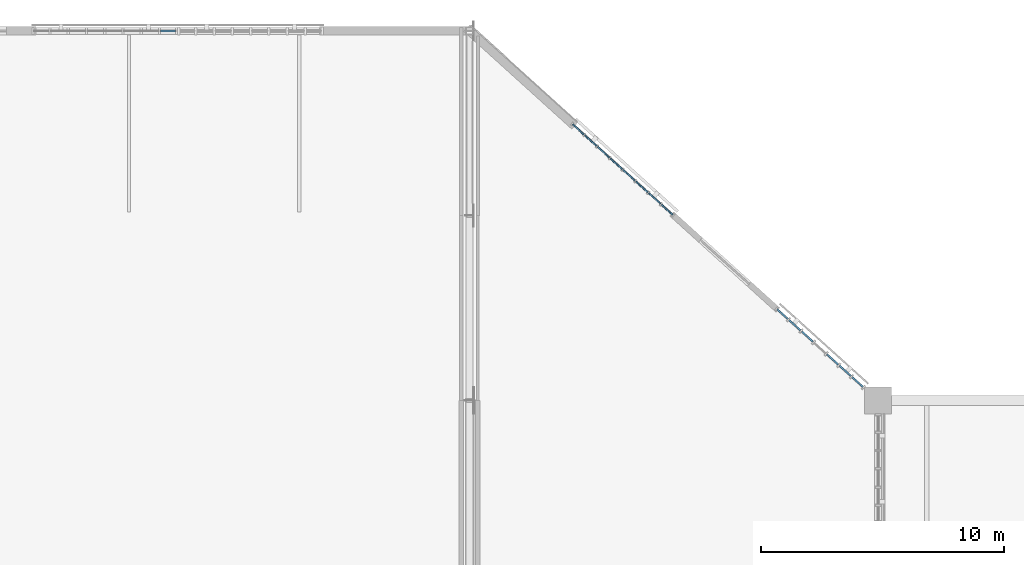
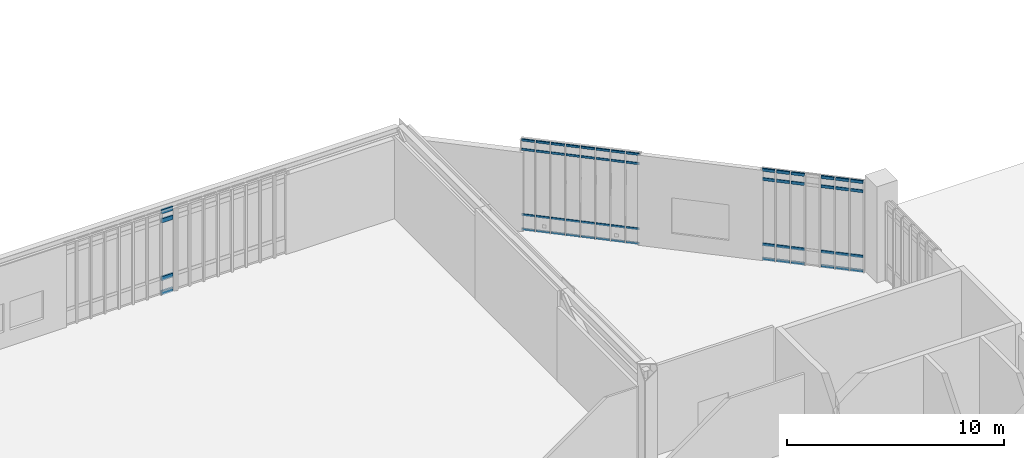
# One storey, part 61 of 135: 60 members, 3 elements without a shape of their own.
"""IFC4 building model written with IfcOpenShell, lengths in metres."""

from ifc_helpers import new_model, si_unit, direction, frame, origin, origin_2d, place, context, subcontext, project, spatial, rectangle, extrude, material, material_profile, profile_set, type_object, element, aggregate, save


model = new_model("IFC4")

# Units and contexts
model_context = context("Model", 3, precision=1e-05, world=origin(), true_north=direction((0.0, 1.0)))
body_context = subcontext(model_context, "Body", "Model", "MODEL_VIEW")
ifc_project = project(units=[si_unit("LENGTHUNIT", "METRE"), si_unit("AREAUNIT", "SQUARE_METRE"), si_unit("VOLUMEUNIT", "CUBIC_METRE"), si_unit("PLANEANGLEUNIT", "RADIAN"), si_unit("MASSUNIT", "GRAM", prefix="KILO")], contexts=[model_context])

# Site, building, storey
site_placement = place(None, origin())
site = spatial("IfcSite", under=ifc_project, at=site_placement, CompositionType="ELEMENT")
building_placement = place(site_placement, origin())
building = spatial("IfcBuilding", under=site, at=building_placement, Name="Larkvane Passage Sports Hall", CompositionType="ELEMENT")
storey_placement = place(building_placement, frame((0.0, 0.0, 16.800048828125)))
storey = spatial("IfcBuildingStorey", under=building, at=storey_placement, Name="L03", CompositionType="ELEMENT", Elevation=16.800048828125)

# Curtain wall, members
ifc_material_1 = material(Name="Thermally broken aluminium and low-E glazing", Category="aluminium")
curtain_wall_type_1 = type_object("IfcCurtainWallType", Name="CW-UNIT-COURT", PredefinedType="USERDEFINED", material=ifc_material_1)
curtain_wall_1_placement = place(storey_placement, origin())
curtain_wall_1 = element("IfcCurtainWall", 1, at=curtain_wall_1_placement, inside=storey, type_object=curtain_wall_type_1, Name="Curtain wall CW5-L03-140", ObjectType="UNITISED CURTAIN WALL", PredefinedType="USERDEFINED")
ifc_material_2 = material(Name="Anodised aluminium 6063-T6", Category="aluminium")
ifc_material_profile_1 = material_profile(ifc_material_2, rectangle(XDim=0.06005859375, YDim=0.1201171875, at=origin_2d()), Name="ALU-TRN-60x120")
ifc_profile_set_1 = profile_set([ifc_material_profile_1], Name="Anodised aluminium 6063-T6")
member_type_1 = type_object("IfcMemberType", Name="CW-TRN-60x120", PredefinedType="USERDEFINED", material=ifc_profile_set_1)
member_1_placement = place(storey_placement, frame((81.04443359375, 110.559814453125, 0.030029296875), z_axis=(0.741386040822, -0.671078787084, 0.0), x_axis=(0.671078787084, 0.741386040822, 0.0)))
member_1 = element("IfcMember", 2, at=member_1_placement, type_object=member_type_1, Name="CW-01 transom 1.1", ObjectType="TRANSOM", PredefinedType="USERDEFINED", context=body_context, shape_type="SweptSolid", body=[
    extrude(rectangle(XDim=0.06005859375, YDim=0.1201171875, at=origin_2d()), origin(), (0.0, 0.0, 1.0), 0.6181640625),
])
member_2_placement = place(storey_placement, frame((81.04443359375, 110.559814453125, 0.849853515625), z_axis=(0.741386040822, -0.671078787084, 0.0), x_axis=(0.671078787084, 0.741386040822, 0.0)))
member_2 = element("IfcMember", 3, at=member_2_placement, type_object=member_type_1, Name="CW-01 transom 1.2", ObjectType="TRANSOM", PredefinedType="USERDEFINED", context=body_context, shape_type="SweptSolid", body=[
    extrude(rectangle(XDim=0.06005859375, YDim=0.1201171875, at=origin_2d()), origin(), (0.0, 0.0, 1.0), 0.6181640625),
])
member_3_placement = place(storey_placement, frame((81.04443359375, 110.559814453125, 4.52001953125), z_axis=(0.741386040822, -0.671078787084, 0.0), x_axis=(0.671078787084, 0.741386040822, 0.0)))
member_3 = element("IfcMember", 4, at=member_3_placement, type_object=member_type_1, Name="CW-01 transom 1.3", ObjectType="TRANSOM", PredefinedType="USERDEFINED", context=body_context, shape_type="SweptSolid", body=[
    extrude(rectangle(XDim=0.06005859375, YDim=0.1201171875, at=origin_2d()), origin(), (0.0, 0.0, 1.0), 0.6181640625),
])
member_4_placement = place(storey_placement, frame((81.04443359375, 110.559814453125, 5.0400390625), z_axis=(0.741386040822, -0.671078787084, 0.0), x_axis=(0.671078787084, 0.741386040822, 0.0)))
member_4 = element("IfcMember", 5, at=member_4_placement, type_object=member_type_1, Name="CW-01 transom 1.4", ObjectType="TRANSOM", PredefinedType="USERDEFINED", context=body_context, shape_type="SweptSolid", body=[
    extrude(rectangle(XDim=0.06005859375, YDim=0.1201171875, at=origin_2d()), origin(), (0.0, 0.0, 1.0), 0.6181640625),
])
member_5_placement = place(storey_placement, frame((81.54736328125, 110.10498046875, 0.030029296875), z_axis=(0.74145544308, -0.671002105755, 0.0), x_axis=(0.671002105755, 0.74145544308, 0.0)))
member_5 = element("IfcMember", 6, at=member_5_placement, type_object=member_type_1, Name="CW-01 transom 2.1", ObjectType="TRANSOM", PredefinedType="USERDEFINED", context=body_context, shape_type="SweptSolid", body=[
    extrude(rectangle(XDim=0.06005859375, YDim=0.1201171875, at=origin_2d()), origin(), (0.0, 0.0, 1.0), 0.64794921875),
])
member_6_placement = place(storey_placement, frame((81.54736328125, 110.10498046875, 0.849853515625), z_axis=(0.74145544308, -0.671002105755, 0.0), x_axis=(0.671002105755, 0.74145544308, 0.0)))
member_6 = element("IfcMember", 7, at=member_6_placement, type_object=member_type_1, Name="CW-01 transom 2.2", ObjectType="TRANSOM", PredefinedType="USERDEFINED", context=body_context, shape_type="SweptSolid", body=[
    extrude(rectangle(XDim=0.06005859375, YDim=0.1201171875, at=origin_2d()), origin(), (0.0, 0.0, 1.0), 0.64794921875),
])
member_7_placement = place(storey_placement, frame((81.54736328125, 110.10498046875, 4.52001953125), z_axis=(0.74145544308, -0.671002105755, 0.0), x_axis=(0.671002105755, 0.74145544308, 0.0)))
member_7 = element("IfcMember", 8, at=member_7_placement, type_object=member_type_1, Name="CW-01 transom 2.3", ObjectType="TRANSOM", PredefinedType="USERDEFINED", context=body_context, shape_type="SweptSolid", body=[
    extrude(rectangle(XDim=0.06005859375, YDim=0.1201171875, at=origin_2d()), origin(), (0.0, 0.0, 1.0), 0.64794921875),
])
member_8_placement = place(storey_placement, frame((81.54736328125, 110.10498046875, 5.0400390625), z_axis=(0.74145544308, -0.671002105755, 0.0), x_axis=(0.671002105755, 0.74145544308, 0.0)))
member_8 = element("IfcMember", 9, at=member_8_placement, type_object=member_type_1, Name="CW-01 transom 2.4", ObjectType="TRANSOM", PredefinedType="USERDEFINED", context=body_context, shape_type="SweptSolid", body=[
    extrude(rectangle(XDim=0.06005859375, YDim=0.1201171875, at=origin_2d()), origin(), (0.0, 0.0, 1.0), 0.64794921875),
])
member_9_placement = place(storey_placement, frame((82.072265625, 109.6298828125, 0.030029296875), z_axis=(0.74145544308, -0.671002105755, 0.0), x_axis=(0.671002105755, 0.74145544308, 0.0)))
member_9 = element("IfcMember", 10, at=member_9_placement, type_object=member_type_1, Name="CW-01 transom 3.1", ObjectType="TRANSOM", PredefinedType="USERDEFINED", context=body_context, shape_type="SweptSolid", body=[
    extrude(rectangle(XDim=0.06005859375, YDim=0.1201171875, at=origin_2d()), origin(), (0.0, 0.0, 1.0), 0.64794921875),
])
member_10_placement = place(storey_placement, frame((82.072265625, 109.6298828125, 0.849853515625), z_axis=(0.74145544308, -0.671002105755, 0.0), x_axis=(0.671002105755, 0.74145544308, 0.0)))
member_10 = element("IfcMember", 11, at=member_10_placement, type_object=member_type_1, Name="CW-01 transom 3.2", ObjectType="TRANSOM", PredefinedType="USERDEFINED", context=body_context, shape_type="SweptSolid", body=[
    extrude(rectangle(XDim=0.06005859375, YDim=0.1201171875, at=origin_2d()), origin(), (0.0, 0.0, 1.0), 0.64794921875),
])
member_11_placement = place(storey_placement, frame((82.072265625, 109.6298828125, 4.52001953125), z_axis=(0.74145544308, -0.671002105755, 0.0), x_axis=(0.671002105755, 0.74145544308, 0.0)))
member_11 = element("IfcMember", 12, at=member_11_placement, type_object=member_type_1, Name="CW-01 transom 3.3", ObjectType="TRANSOM", PredefinedType="USERDEFINED", context=body_context, shape_type="SweptSolid", body=[
    extrude(rectangle(XDim=0.06005859375, YDim=0.1201171875, at=origin_2d()), origin(), (0.0, 0.0, 1.0), 0.64794921875),
])
member_12_placement = place(storey_placement, frame((82.072265625, 109.6298828125, 5.0400390625), z_axis=(0.74145544308, -0.671002105755, 0.0), x_axis=(0.671002105755, 0.74145544308, 0.0)))
member_12 = element("IfcMember", 13, at=member_12_placement, type_object=member_type_1, Name="CW-01 transom 3.4", ObjectType="TRANSOM", PredefinedType="USERDEFINED", context=body_context, shape_type="SweptSolid", body=[
    extrude(rectangle(XDim=0.06005859375, YDim=0.1201171875, at=origin_2d()), origin(), (0.0, 0.0, 1.0), 0.64794921875),
])
member_13_placement = place(storey_placement, frame((82.59716796875, 109.15478515625, 0.030029296875), z_axis=(0.741642904387, -0.670794903359, 0.0), x_axis=(0.670794903359, 0.741642904387, 0.0)))
member_13 = element("IfcMember", 14, at=member_13_placement, type_object=member_type_1, Name="CW-01 transom 4.1", ObjectType="TRANSOM", PredefinedType="USERDEFINED", context=body_context, shape_type="SweptSolid", body=[
    extrude(rectangle(XDim=0.06005859375, YDim=0.1201171875, at=origin_2d()), origin(), (0.0, 0.0, 1.0), 0.64794921875),
])
member_14_placement = place(storey_placement, frame((82.59716796875, 109.15478515625, 0.849853515625), z_axis=(0.741642904387, -0.670794903359, 0.0), x_axis=(0.670794903359, 0.741642904387, 0.0)))
member_14 = element("IfcMember", 15, at=member_14_placement, type_object=member_type_1, Name="CW-01 transom 4.2", ObjectType="TRANSOM", PredefinedType="USERDEFINED", context=body_context, shape_type="SweptSolid", body=[
    extrude(rectangle(XDim=0.06005859375, YDim=0.1201171875, at=origin_2d()), origin(), (0.0, 0.0, 1.0), 0.64794921875),
])
member_15_placement = place(storey_placement, frame((82.59716796875, 109.15478515625, 4.52001953125), z_axis=(0.741642904387, -0.670794903359, 0.0), x_axis=(0.670794903359, 0.741642904387, 0.0)))
member_15 = element("IfcMember", 16, at=member_15_placement, type_object=member_type_1, Name="CW-01 transom 4.3", ObjectType="TRANSOM", PredefinedType="USERDEFINED", context=body_context, shape_type="SweptSolid", body=[
    extrude(rectangle(XDim=0.06005859375, YDim=0.1201171875, at=origin_2d()), origin(), (0.0, 0.0, 1.0), 0.64794921875),
])
member_16_placement = place(storey_placement, frame((82.59716796875, 109.15478515625, 5.0400390625), z_axis=(0.741642904387, -0.670794903359, 0.0), x_axis=(0.670794903359, 0.741642904387, 0.0)))
member_16 = element("IfcMember", 17, at=member_16_placement, type_object=member_type_1, Name="CW-01 transom 4.4", ObjectType="TRANSOM", PredefinedType="USERDEFINED", context=body_context, shape_type="SweptSolid", body=[
    extrude(rectangle(XDim=0.06005859375, YDim=0.1201171875, at=origin_2d()), origin(), (0.0, 0.0, 1.0), 0.64794921875),
])
member_17_placement = place(storey_placement, frame((83.122314453125, 108.679931640625, 0.030029296875), z_axis=(0.74145544308, -0.671002105755, 0.0), x_axis=(0.671002105755, 0.74145544308, 0.0)))
member_17 = element("IfcMember", 18, at=member_17_placement, type_object=member_type_1, Name="CW-01 transom 5.1", ObjectType="TRANSOM", PredefinedType="USERDEFINED", context=body_context, shape_type="SweptSolid", body=[
    extrude(rectangle(XDim=0.06005859375, YDim=0.1201171875, at=origin_2d()), origin(), (0.0, 0.0, 1.0), 0.64794921875),
])
member_18_placement = place(storey_placement, frame((83.122314453125, 108.679931640625, 0.849853515625), z_axis=(0.74145544308, -0.671002105755, 0.0), x_axis=(0.671002105755, 0.74145544308, 0.0)))
member_18 = element("IfcMember", 19, at=member_18_placement, type_object=member_type_1, Name="CW-01 transom 5.2", ObjectType="TRANSOM", PredefinedType="USERDEFINED", context=body_context, shape_type="SweptSolid", body=[
    extrude(rectangle(XDim=0.06005859375, YDim=0.1201171875, at=origin_2d()), origin(), (0.0, 0.0, 1.0), 0.64794921875),
])
member_19_placement = place(storey_placement, frame((83.122314453125, 108.679931640625, 4.52001953125), z_axis=(0.74145544308, -0.671002105755, 0.0), x_axis=(0.671002105755, 0.74145544308, 0.0)))
member_19 = element("IfcMember", 20, at=member_19_placement, type_object=member_type_1, Name="CW-01 transom 5.3", ObjectType="TRANSOM", PredefinedType="USERDEFINED", context=body_context, shape_type="SweptSolid", body=[
    extrude(rectangle(XDim=0.06005859375, YDim=0.1201171875, at=origin_2d()), origin(), (0.0, 0.0, 1.0), 0.64794921875),
])
member_20_placement = place(storey_placement, frame((83.122314453125, 108.679931640625, 5.0400390625), z_axis=(0.74145544308, -0.671002105755, 0.0), x_axis=(0.671002105755, 0.74145544308, 0.0)))
member_20 = element("IfcMember", 21, at=member_20_placement, type_object=member_type_1, Name="CW-01 transom 5.4", ObjectType="TRANSOM", PredefinedType="USERDEFINED", context=body_context, shape_type="SweptSolid", body=[
    extrude(rectangle(XDim=0.06005859375, YDim=0.1201171875, at=origin_2d()), origin(), (0.0, 0.0, 1.0), 0.64794921875),
])
member_21_placement = place(storey_placement, frame((83.647216796875, 108.204833984375, 0.030029296875), z_axis=(0.74145544308, -0.671002105755, 0.0), x_axis=(0.671002105755, 0.74145544308, 0.0)))
member_21 = element("IfcMember", 22, at=member_21_placement, type_object=member_type_1, Name="CW-01 transom 6.1", ObjectType="TRANSOM", PredefinedType="USERDEFINED", context=body_context, shape_type="SweptSolid", body=[
    extrude(rectangle(XDim=0.06005859375, YDim=0.1201171875, at=origin_2d()), origin(), (0.0, 0.0, 1.0), 0.64794921875),
])
member_22_placement = place(storey_placement, frame((83.647216796875, 108.204833984375, 0.849853515625), z_axis=(0.74145544308, -0.671002105755, 0.0), x_axis=(0.671002105755, 0.74145544308, 0.0)))
member_22 = element("IfcMember", 23, at=member_22_placement, type_object=member_type_1, Name="CW-01 transom 6.2", ObjectType="TRANSOM", PredefinedType="USERDEFINED", context=body_context, shape_type="SweptSolid", body=[
    extrude(rectangle(XDim=0.06005859375, YDim=0.1201171875, at=origin_2d()), origin(), (0.0, 0.0, 1.0), 0.64794921875),
])
member_23_placement = place(storey_placement, frame((83.647216796875, 108.204833984375, 4.52001953125), z_axis=(0.74145544308, -0.671002105755, 0.0), x_axis=(0.671002105755, 0.74145544308, 0.0)))
member_23 = element("IfcMember", 24, at=member_23_placement, type_object=member_type_1, Name="CW-01 transom 6.3", ObjectType="TRANSOM", PredefinedType="USERDEFINED", context=body_context, shape_type="SweptSolid", body=[
    extrude(rectangle(XDim=0.06005859375, YDim=0.1201171875, at=origin_2d()), origin(), (0.0, 0.0, 1.0), 0.64794921875),
])
member_24_placement = place(storey_placement, frame((83.647216796875, 108.204833984375, 5.0400390625), z_axis=(0.74145544308, -0.671002105755, 0.0), x_axis=(0.671002105755, 0.74145544308, 0.0)))
member_24 = element("IfcMember", 25, at=member_24_placement, type_object=member_type_1, Name="CW-01 transom 6.4", ObjectType="TRANSOM", PredefinedType="USERDEFINED", context=body_context, shape_type="SweptSolid", body=[
    extrude(rectangle(XDim=0.06005859375, YDim=0.1201171875, at=origin_2d()), origin(), (0.0, 0.0, 1.0), 0.64794921875),
])
member_25_placement = place(storey_placement, frame((84.17236328125, 107.72998046875, 0.030029296875), z_axis=(0.74145544308, -0.671002105755, 0.0), x_axis=(0.671002105755, 0.74145544308, 0.0)))
member_25 = element("IfcMember", 26, at=member_25_placement, type_object=member_type_1, Name="CW-01 transom 7.1", ObjectType="TRANSOM", PredefinedType="USERDEFINED", context=body_context, shape_type="SweptSolid", body=[
    extrude(rectangle(XDim=0.06005859375, YDim=0.1201171875, at=origin_2d()), origin(), (0.0, 0.0, 1.0), 0.64794921875),
])
member_26_placement = place(storey_placement, frame((84.17236328125, 107.72998046875, 0.849853515625), z_axis=(0.74145544308, -0.671002105755, 0.0), x_axis=(0.671002105755, 0.74145544308, 0.0)))
member_26 = element("IfcMember", 27, at=member_26_placement, type_object=member_type_1, Name="CW-01 transom 7.2", ObjectType="TRANSOM", PredefinedType="USERDEFINED", context=body_context, shape_type="SweptSolid", body=[
    extrude(rectangle(XDim=0.06005859375, YDim=0.1201171875, at=origin_2d()), origin(), (0.0, 0.0, 1.0), 0.64794921875),
])
member_27_placement = place(storey_placement, frame((84.17236328125, 107.72998046875, 4.52001953125), z_axis=(0.74145544308, -0.671002105755, 0.0), x_axis=(0.671002105755, 0.74145544308, 0.0)))
member_27 = element("IfcMember", 28, at=member_27_placement, type_object=member_type_1, Name="CW-01 transom 7.3", ObjectType="TRANSOM", PredefinedType="USERDEFINED", context=body_context, shape_type="SweptSolid", body=[
    extrude(rectangle(XDim=0.06005859375, YDim=0.1201171875, at=origin_2d()), origin(), (0.0, 0.0, 1.0), 0.64794921875),
])
member_28_placement = place(storey_placement, frame((84.17236328125, 107.72998046875, 5.0400390625), z_axis=(0.74145544308, -0.671002105755, 0.0), x_axis=(0.671002105755, 0.74145544308, 0.0)))
member_28 = element("IfcMember", 29, at=member_28_placement, type_object=member_type_1, Name="CW-01 transom 7.4", ObjectType="TRANSOM", PredefinedType="USERDEFINED", context=body_context, shape_type="SweptSolid", body=[
    extrude(rectangle(XDim=0.06005859375, YDim=0.1201171875, at=origin_2d()), origin(), (0.0, 0.0, 1.0), 0.64794921875),
])
member_29_placement = place(storey_placement, frame((84.697265625, 107.2548828125, 0.030029296875), z_axis=(0.741582577172, -0.670861596184, 0.0), x_axis=(0.670861596184, 0.741582577172, 0.0)))
member_29 = element("IfcMember", 30, at=member_29_placement, type_object=member_type_1, Name="CW-01 transom 8.1", ObjectType="TRANSOM", PredefinedType="USERDEFINED", context=body_context, shape_type="SweptSolid", body=[
    extrude(rectangle(XDim=0.06005859375, YDim=0.1201171875, at=origin_2d()), origin(), (0.0, 0.0, 1.0), 0.617919921875),
])
member_30_placement = place(storey_placement, frame((84.697265625, 107.2548828125, 0.849853515625), z_axis=(0.741582577172, -0.670861596184, 0.0), x_axis=(0.670861596184, 0.741582577172, 0.0)))
member_30 = element("IfcMember", 31, at=member_30_placement, type_object=member_type_1, Name="CW-01 transom 8.2", ObjectType="TRANSOM", PredefinedType="USERDEFINED", context=body_context, shape_type="SweptSolid", body=[
    extrude(rectangle(XDim=0.06005859375, YDim=0.1201171875, at=origin_2d()), origin(), (0.0, 0.0, 1.0), 0.617919921875),
])
member_31_placement = place(storey_placement, frame((84.697265625, 107.2548828125, 4.52001953125), z_axis=(0.741582577172, -0.670861596184, 0.0), x_axis=(0.670861596184, 0.741582577172, 0.0)))
member_31 = element("IfcMember", 32, at=member_31_placement, type_object=member_type_1, Name="CW-01 transom 8.3", ObjectType="TRANSOM", PredefinedType="USERDEFINED", context=body_context, shape_type="SweptSolid", body=[
    extrude(rectangle(XDim=0.06005859375, YDim=0.1201171875, at=origin_2d()), origin(), (0.0, 0.0, 1.0), 0.617919921875),
])
member_32_placement = place(storey_placement, frame((84.697265625, 107.2548828125, 5.0400390625), z_axis=(0.741582577172, -0.670861596184, 0.0), x_axis=(0.670861596184, 0.741582577172, 0.0)))
member_32 = element("IfcMember", 33, at=member_32_placement, type_object=member_type_1, Name="CW-01 transom 8.4", ObjectType="TRANSOM", PredefinedType="USERDEFINED", context=body_context, shape_type="SweptSolid", body=[
    extrude(rectangle(XDim=0.06005859375, YDim=0.1201171875, at=origin_2d()), origin(), (0.0, 0.0, 1.0), 0.617919921875),
])
aggregate(curtain_wall_1, [member_1, member_2, member_3, member_4, member_5, member_6, member_7, member_8, member_9, member_10, member_11, member_12, member_13, member_14, member_15, member_16, member_17, member_18, member_19, member_20, member_21, member_22, member_23, member_24, member_25, member_26, member_27, member_28, member_29, member_30, member_31, member_32])

curtain_wall_type_2 = type_object("IfcCurtainWallType", Name="CW-UNIT-VEIL", PredefinedType="USERDEFINED", material=ifc_material_1)
curtain_wall_2_placement = place(storey_placement, origin())
curtain_wall_2 = element("IfcCurtainWall", 34, at=curtain_wall_2_placement, inside=storey, type_object=curtain_wall_type_2, Name="Curtain wall CW5-L03-141", ObjectType="UNITISED CURTAIN WALL", PredefinedType="USERDEFINED")
ifc_material_profile_2 = material_profile(ifc_material_2, rectangle(XDim=0.070068359375, YDim=0.159912109375, at=origin_2d()), Name="ALU-TRN-70x160")
ifc_profile_set_2 = profile_set([ifc_material_profile_2], Name="Anodised aluminium 6063-T6")
member_type_2 = type_object("IfcMemberType", Name="CW-TRN-70x160", PredefinedType="USERDEFINED", material=ifc_profile_set_2)
member_33_placement = place(storey_placement, frame((89.451904296875, 102.953125, 0.034912109375), z_axis=(0.741389637629, -0.671074813428, 0.0), x_axis=(0.671074813428, 0.741389637629, 0.0)))
member_33 = element("IfcMember", 35, at=member_33_placement, type_object=member_type_2, Name="CW-02 transom 1.1", ObjectType="TRANSOM", PredefinedType="USERDEFINED", context=body_context, shape_type="SweptSolid", body=[
    extrude(rectangle(XDim=0.070068359375, YDim=0.159912109375, at=origin_2d()), origin(), (0.0, 0.0, 1.0), 0.59375),
])
member_34_placement = place(storey_placement, frame((89.451904296875, 102.953125, 0.849853515625), z_axis=(0.741389637629, -0.671074813428, 0.0), x_axis=(0.671074813428, 0.741389637629, 0.0)))
member_34 = element("IfcMember", 36, at=member_34_placement, type_object=member_type_2, Name="CW-02 transom 1.2", ObjectType="TRANSOM", PredefinedType="USERDEFINED", context=body_context, shape_type="SweptSolid", body=[
    extrude(rectangle(XDim=0.070068359375, YDim=0.159912109375, at=origin_2d()), origin(), (0.0, 0.0, 1.0), 0.59375),
])
member_35_placement = place(storey_placement, frame((89.451904296875, 102.953125, 4.52001953125), z_axis=(0.741389637629, -0.671074813428, 0.0), x_axis=(0.671074813428, 0.741389637629, 0.0)))
member_35 = element("IfcMember", 37, at=member_35_placement, type_object=member_type_2, Name="CW-02 transom 1.3", ObjectType="TRANSOM", PredefinedType="USERDEFINED", context=body_context, shape_type="SweptSolid", body=[
    extrude(rectangle(XDim=0.070068359375, YDim=0.159912109375, at=origin_2d()), origin(), (0.0, 0.0, 1.0), 0.59375),
])
member_36_placement = place(storey_placement, frame((89.451904296875, 102.953125, 5.034912109375), z_axis=(0.741389637629, -0.671074813428, 0.0), x_axis=(0.671074813428, 0.741389637629, 0.0)))
member_36 = element("IfcMember", 38, at=member_36_placement, type_object=member_type_2, Name="CW-02 transom 1.4", ObjectType="TRANSOM", PredefinedType="USERDEFINED", context=body_context, shape_type="SweptSolid", body=[
    extrude(rectangle(XDim=0.070068359375, YDim=0.159912109375, at=origin_2d()), origin(), (0.0, 0.0, 1.0), 0.59375),
])
member_37_placement = place(storey_placement, frame((89.944091796875, 102.5078125, 0.034912109375), z_axis=(0.741554174648, -0.670892991514, 0.0), x_axis=(0.670892991514, 0.741554174648, 0.0)))
member_37 = element("IfcMember", 39, at=member_37_placement, type_object=member_type_2, Name="CW-02 transom 2.1", ObjectType="TRANSOM", PredefinedType="USERDEFINED", context=body_context, shape_type="SweptSolid", body=[
    extrude(rectangle(XDim=0.070068359375, YDim=0.159912109375, at=origin_2d()), origin(), (0.0, 0.0, 1.0), 0.62890625),
])
member_38_placement = place(storey_placement, frame((89.944091796875, 102.5078125, 0.849853515625), z_axis=(0.741554174648, -0.670892991514, 0.0), x_axis=(0.670892991514, 0.741554174648, 0.0)))
member_38 = element("IfcMember", 40, at=member_38_placement, type_object=member_type_2, Name="CW-02 transom 2.2", ObjectType="TRANSOM", PredefinedType="USERDEFINED", context=body_context, shape_type="SweptSolid", body=[
    extrude(rectangle(XDim=0.070068359375, YDim=0.159912109375, at=origin_2d()), origin(), (0.0, 0.0, 1.0), 0.62890625),
])
member_39_placement = place(storey_placement, frame((89.944091796875, 102.5078125, 4.52001953125), z_axis=(0.741554174648, -0.670892991514, 0.0), x_axis=(0.670892991514, 0.741554174648, 0.0)))
member_39 = element("IfcMember", 41, at=member_39_placement, type_object=member_type_2, Name="CW-02 transom 2.3", ObjectType="TRANSOM", PredefinedType="USERDEFINED", context=body_context, shape_type="SweptSolid", body=[
    extrude(rectangle(XDim=0.070068359375, YDim=0.159912109375, at=origin_2d()), origin(), (0.0, 0.0, 1.0), 0.62890625),
])
member_40_placement = place(storey_placement, frame((89.944091796875, 102.5078125, 5.034912109375), z_axis=(0.741554174648, -0.670892991514, 0.0), x_axis=(0.670892991514, 0.741554174648, 0.0)))
member_40 = element("IfcMember", 42, at=member_40_placement, type_object=member_type_2, Name="CW-02 transom 2.4", ObjectType="TRANSOM", PredefinedType="USERDEFINED", context=body_context, shape_type="SweptSolid", body=[
    extrude(rectangle(XDim=0.070068359375, YDim=0.159912109375, at=origin_2d()), origin(), (0.0, 0.0, 1.0), 0.62890625),
])
member_41_placement = place(storey_placement, frame((90.462158203125, 102.0390625, 0.034912109375), z_axis=(0.741554174648, -0.670892991514, 0.0), x_axis=(0.670892991514, 0.741554174648, 0.0)))
member_41 = element("IfcMember", 43, at=member_41_placement, type_object=member_type_2, Name="CW-02 transom 3.1", ObjectType="TRANSOM", PredefinedType="USERDEFINED", context=body_context, shape_type="SweptSolid", body=[
    extrude(rectangle(XDim=0.070068359375, YDim=0.159912109375, at=origin_2d()), origin(), (0.0, 0.0, 1.0), 0.62890625),
])
member_42_placement = place(storey_placement, frame((90.462158203125, 102.0390625, 0.849853515625), z_axis=(0.741554174648, -0.670892991514, 0.0), x_axis=(0.670892991514, 0.741554174648, 0.0)))
member_42 = element("IfcMember", 44, at=member_42_placement, type_object=member_type_2, Name="CW-02 transom 3.2", ObjectType="TRANSOM", PredefinedType="USERDEFINED", context=body_context, shape_type="SweptSolid", body=[
    extrude(rectangle(XDim=0.070068359375, YDim=0.159912109375, at=origin_2d()), origin(), (0.0, 0.0, 1.0), 0.62890625),
])
member_43_placement = place(storey_placement, frame((90.462158203125, 102.0390625, 4.52001953125), z_axis=(0.741554174648, -0.670892991514, 0.0), x_axis=(0.670892991514, 0.741554174648, 0.0)))
member_43 = element("IfcMember", 45, at=member_43_placement, type_object=member_type_2, Name="CW-02 transom 3.3", ObjectType="TRANSOM", PredefinedType="USERDEFINED", context=body_context, shape_type="SweptSolid", body=[
    extrude(rectangle(XDim=0.070068359375, YDim=0.159912109375, at=origin_2d()), origin(), (0.0, 0.0, 1.0), 0.62890625),
])
member_44_placement = place(storey_placement, frame((90.462158203125, 102.0390625, 5.034912109375), z_axis=(0.741554174648, -0.670892991514, 0.0), x_axis=(0.670892991514, 0.741554174648, 0.0)))
member_44 = element("IfcMember", 46, at=member_44_placement, type_object=member_type_2, Name="CW-02 transom 3.4", ObjectType="TRANSOM", PredefinedType="USERDEFINED", context=body_context, shape_type="SweptSolid", body=[
    extrude(rectangle(XDim=0.070068359375, YDim=0.159912109375, at=origin_2d()), origin(), (0.0, 0.0, 1.0), 0.62890625),
])
member_45_placement = place(storey_placement, frame((91.49853515625, 101.101318359375, 0.034912109375), z_axis=(0.741379349623, -0.671086179229, 0.0), x_axis=(0.671086179229, 0.741379349623, 0.0)))
member_45 = element("IfcMember", 47, at=member_45_placement, type_object=member_type_2, Name="CW-02 transom 5.1", ObjectType="TRANSOM", PredefinedType="USERDEFINED", context=body_context, shape_type="SweptSolid", body=[
    extrude(rectangle(XDim=0.070068359375, YDim=0.159912109375, at=origin_2d()), origin(), (0.0, 0.0, 1.0), 0.628662109375),
])
member_46_placement = place(storey_placement, frame((91.49853515625, 101.101318359375, 0.849853515625), z_axis=(0.741379349623, -0.671086179229, 0.0), x_axis=(0.671086179229, 0.741379349623, 0.0)))
member_46 = element("IfcMember", 48, at=member_46_placement, type_object=member_type_2, Name="CW-02 transom 5.2", ObjectType="TRANSOM", PredefinedType="USERDEFINED", context=body_context, shape_type="SweptSolid", body=[
    extrude(rectangle(XDim=0.070068359375, YDim=0.159912109375, at=origin_2d()), origin(), (0.0, 0.0, 1.0), 0.628662109375),
])
member_47_placement = place(storey_placement, frame((91.49853515625, 101.101318359375, 4.52001953125), z_axis=(0.741379349623, -0.671086179229, 0.0), x_axis=(0.671086179229, 0.741379349623, 0.0)))
member_47 = element("IfcMember", 49, at=member_47_placement, type_object=member_type_2, Name="CW-02 transom 5.3", ObjectType="TRANSOM", PredefinedType="USERDEFINED", context=body_context, shape_type="SweptSolid", body=[
    extrude(rectangle(XDim=0.070068359375, YDim=0.159912109375, at=origin_2d()), origin(), (0.0, 0.0, 1.0), 0.628662109375),
])
member_48_placement = place(storey_placement, frame((91.49853515625, 101.101318359375, 5.034912109375), z_axis=(0.741379349623, -0.671086179229, 0.0), x_axis=(0.671086179229, 0.741379349623, 0.0)))
member_48 = element("IfcMember", 50, at=member_48_placement, type_object=member_type_2, Name="CW-02 transom 5.4", ObjectType="TRANSOM", PredefinedType="USERDEFINED", context=body_context, shape_type="SweptSolid", body=[
    extrude(rectangle(XDim=0.070068359375, YDim=0.159912109375, at=origin_2d()), origin(), (0.0, 0.0, 1.0), 0.628662109375),
])
member_49_placement = place(storey_placement, frame((92.0166015625, 100.632568359375, 0.034912109375), z_axis=(0.741554174648, -0.670892991514, 0.0), x_axis=(0.670892991514, 0.741554174648, 0.0)))
member_49 = element("IfcMember", 51, at=member_49_placement, type_object=member_type_2, Name="CW-02 transom 6.1", ObjectType="TRANSOM", PredefinedType="USERDEFINED", context=body_context, shape_type="SweptSolid", body=[
    extrude(rectangle(XDim=0.070068359375, YDim=0.159912109375, at=origin_2d()), origin(), (0.0, 0.0, 1.0), 0.62890625),
])
member_50_placement = place(storey_placement, frame((92.0166015625, 100.632568359375, 0.849853515625), z_axis=(0.741554174648, -0.670892991514, 0.0), x_axis=(0.670892991514, 0.741554174648, 0.0)))
member_50 = element("IfcMember", 52, at=member_50_placement, type_object=member_type_2, Name="CW-02 transom 6.2", ObjectType="TRANSOM", PredefinedType="USERDEFINED", context=body_context, shape_type="SweptSolid", body=[
    extrude(rectangle(XDim=0.070068359375, YDim=0.159912109375, at=origin_2d()), origin(), (0.0, 0.0, 1.0), 0.62890625),
])
member_51_placement = place(storey_placement, frame((92.0166015625, 100.632568359375, 4.52001953125), z_axis=(0.741554174648, -0.670892991514, 0.0), x_axis=(0.670892991514, 0.741554174648, 0.0)))
member_51 = element("IfcMember", 53, at=member_51_placement, type_object=member_type_2, Name="CW-02 transom 6.3", ObjectType="TRANSOM", PredefinedType="USERDEFINED", context=body_context, shape_type="SweptSolid", body=[
    extrude(rectangle(XDim=0.070068359375, YDim=0.159912109375, at=origin_2d()), origin(), (0.0, 0.0, 1.0), 0.62890625),
])
member_52_placement = place(storey_placement, frame((92.0166015625, 100.632568359375, 5.034912109375), z_axis=(0.741554174648, -0.670892991514, 0.0), x_axis=(0.670892991514, 0.741554174648, 0.0)))
member_52 = element("IfcMember", 54, at=member_52_placement, type_object=member_type_2, Name="CW-02 transom 6.4", ObjectType="TRANSOM", PredefinedType="USERDEFINED", context=body_context, shape_type="SweptSolid", body=[
    extrude(rectangle(XDim=0.070068359375, YDim=0.159912109375, at=origin_2d()), origin(), (0.0, 0.0, 1.0), 0.62890625),
])
member_53_placement = place(storey_placement, frame((92.53466796875, 100.163818359375, 0.034912109375), z_axis=(0.741574732372, -0.670870267867, 0.0), x_axis=(0.670870267867, 0.741574732372, 0.0)))
member_53 = element("IfcMember", 55, at=member_53_placement, type_object=member_type_2, Name="CW-02 transom 7.1", ObjectType="TRANSOM", PredefinedType="USERDEFINED", context=body_context, shape_type="SweptSolid", body=[
    extrude(rectangle(XDim=0.070068359375, YDim=0.159912109375, at=origin_2d()), origin(), (0.0, 0.0, 1.0), 0.593994140625),
])
member_54_placement = place(storey_placement, frame((92.53466796875, 100.163818359375, 0.849853515625), z_axis=(0.741574732372, -0.670870267867, 0.0), x_axis=(0.670870267867, 0.741574732372, 0.0)))
member_54 = element("IfcMember", 56, at=member_54_placement, type_object=member_type_2, Name="CW-02 transom 7.2", ObjectType="TRANSOM", PredefinedType="USERDEFINED", context=body_context, shape_type="SweptSolid", body=[
    extrude(rectangle(XDim=0.070068359375, YDim=0.159912109375, at=origin_2d()), origin(), (0.0, 0.0, 1.0), 0.593994140625),
])
member_55_placement = place(storey_placement, frame((92.53466796875, 100.163818359375, 4.52001953125), z_axis=(0.741574732372, -0.670870267867, 0.0), x_axis=(0.670870267867, 0.741574732372, 0.0)))
member_55 = element("IfcMember", 57, at=member_55_placement, type_object=member_type_2, Name="CW-02 transom 7.3", ObjectType="TRANSOM", PredefinedType="USERDEFINED", context=body_context, shape_type="SweptSolid", body=[
    extrude(rectangle(XDim=0.070068359375, YDim=0.159912109375, at=origin_2d()), origin(), (0.0, 0.0, 1.0), 0.593994140625),
])
member_56_placement = place(storey_placement, frame((92.53466796875, 100.163818359375, 5.034912109375), z_axis=(0.741574732372, -0.670870267867, 0.0), x_axis=(0.670870267867, 0.741574732372, 0.0)))
member_56 = element("IfcMember", 58, at=member_56_placement, type_object=member_type_2, Name="CW-02 transom 7.4", ObjectType="TRANSOM", PredefinedType="USERDEFINED", context=body_context, shape_type="SweptSolid", body=[
    extrude(rectangle(XDim=0.070068359375, YDim=0.159912109375, at=origin_2d()), origin(), (0.0, 0.0, 1.0), 0.593994140625),
])
aggregate(curtain_wall_2, [member_33, member_34, member_35, member_36, member_37, member_38, member_39, member_40, member_41, member_42, member_43, member_44, member_45, member_46, member_47, member_48, member_49, member_50, member_51, member_52, member_53, member_54, member_55, member_56])

curtain_wall_type_3 = type_object("IfcCurtainWallType", Name="CW-STICK-FOYER", PredefinedType="USERDEFINED", material=ifc_material_1)
curtain_wall_3_placement = place(storey_placement, origin())
curtain_wall_3 = element("IfcCurtainWall", 59, at=curtain_wall_3_placement, inside=storey, type_object=curtain_wall_type_3, Name="Curtain wall CW5-L03-138", ObjectType="STICK CURTAIN WALL", PredefinedType="USERDEFINED")
ifc_material_profile_3 = material_profile(ifc_material_2, rectangle(XDim=0.090087890625, YDim=0.235107421875, at=origin_2d()), Name="ALU-TRN-90x235")
ifc_profile_set_3 = profile_set([ifc_material_profile_3], Name="Anodised aluminium 6063-T6")
member_type_3 = type_object("IfcMemberType", Name="CW-TRN-90x235", PredefinedType="USERDEFINED", material=ifc_profile_set_3)
member_57_placement = place(storey_placement, frame((64.094970703125, 114.39990234375, 0.044921875), z_axis=(1.0, 0.0, 0.0), x_axis=(0.0, 1.0, 0.0)))
member_57 = element("IfcMember", 60, at=member_57_placement, type_object=member_type_3, Name="CW-03 transom 8.1", ObjectType="TRANSOM", PredefinedType="USERDEFINED", context=body_context, shape_type="SweptSolid", body=[
    extrude(rectangle(XDim=0.090087890625, YDim=0.235107421875, at=origin_2d()), origin(), (0.0, 0.0, 1.0), 0.614990234375),
])
member_58_placement = place(storey_placement, frame((64.094970703125, 114.39990234375, 0.849853515625), z_axis=(1.0, 0.0, 0.0), x_axis=(0.0, 1.0, 0.0)))
member_58 = element("IfcMember", 61, at=member_58_placement, type_object=member_type_3, Name="CW-03 transom 8.2", ObjectType="TRANSOM", PredefinedType="USERDEFINED", context=body_context, shape_type="SweptSolid", body=[
    extrude(rectangle(XDim=0.090087890625, YDim=0.235107421875, at=origin_2d()), origin(), (0.0, 0.0, 1.0), 0.614990234375),
])
member_59_placement = place(storey_placement, frame((64.094970703125, 114.39990234375, 4.097900390625), z_axis=(1.0, 0.0, 0.0), x_axis=(0.0, 1.0, 0.0)))
member_59 = element("IfcMember", 62, at=member_59_placement, type_object=member_type_3, Name="CW-03 transom 8.3", ObjectType="TRANSOM", PredefinedType="USERDEFINED", context=body_context, shape_type="SweptSolid", body=[
    extrude(rectangle(XDim=0.090087890625, YDim=0.235107421875, at=origin_2d()), origin(), (0.0, 0.0, 1.0), 0.614990234375),
])
member_60_placement = place(storey_placement, frame((64.094970703125, 114.39990234375, 4.60302734375), z_axis=(1.0, 0.0, 0.0), x_axis=(0.0, 1.0, 0.0)))
member_60 = element("IfcMember", 63, at=member_60_placement, type_object=member_type_3, Name="CW-03 transom 8.4", ObjectType="TRANSOM", PredefinedType="USERDEFINED", context=body_context, shape_type="SweptSolid", body=[
    extrude(rectangle(XDim=0.090087890625, YDim=0.235107421875, at=origin_2d()), origin(), (0.0, 0.0, 1.0), 0.614990234375),
])
aggregate(curtain_wall_3, [member_57, member_58, member_59, member_60])

save(model, "model.ifc")
